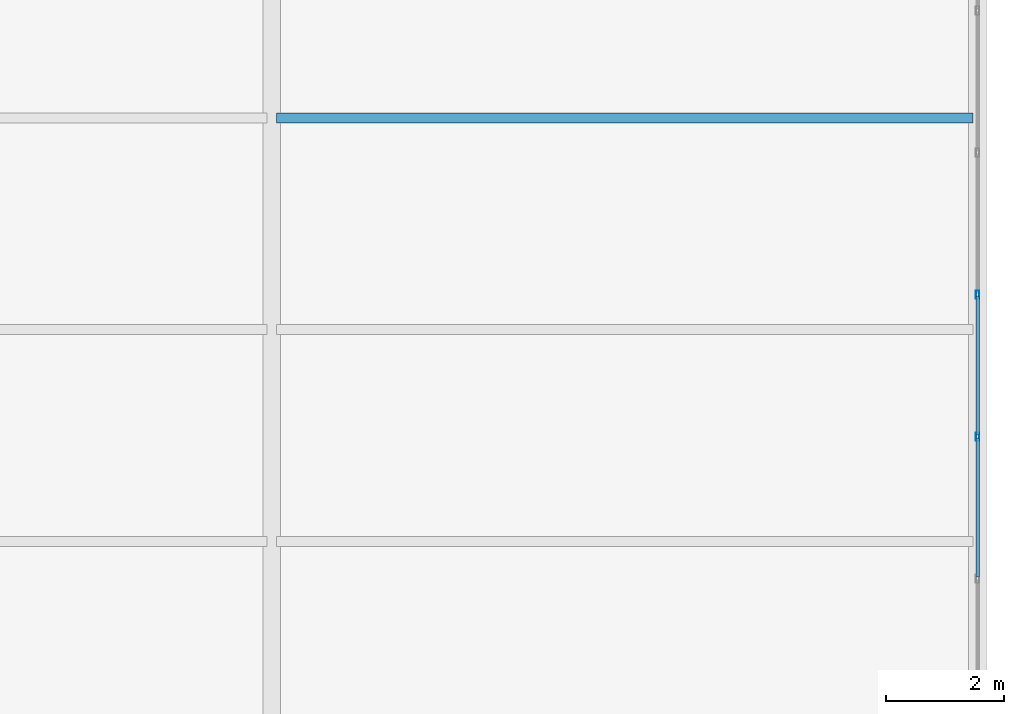
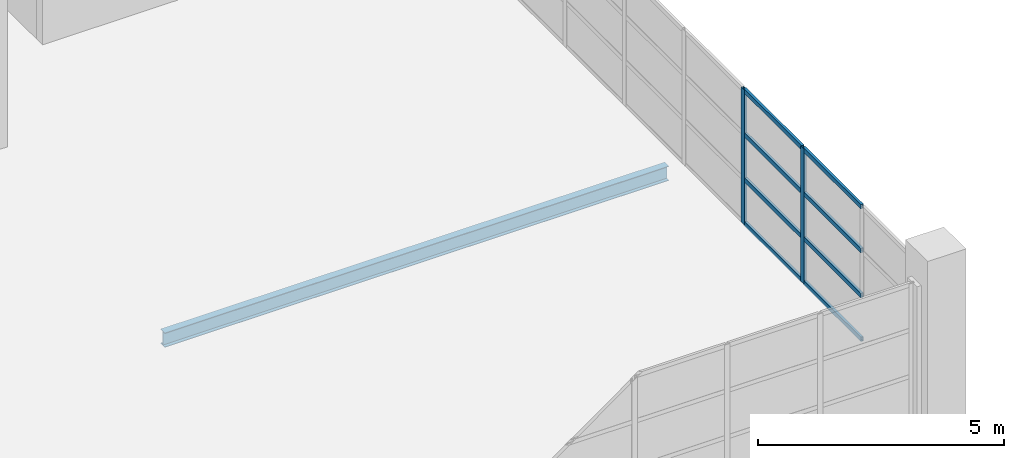
# One storey, part 107 of 158: 10 members, 1 beam, 1 element without a shape of its own.
"""IFC4 building model written with IfcOpenShell, lengths in metres."""

from ifc_helpers import new_model, si_unit, direction, frame, origin, origin_2d, place, context, subcontext, project, spatial, hollow_rectangle, i_section, extrude, material, layer, layer_set, material_profile, profile_set, type_object, element, aggregate, save


model = new_model("IFC4")

# Units and contexts
model_context = context("Model", 3, precision=1e-05, world=origin(), true_north=direction((0.0, 1.0)))
body_context = subcontext(model_context, "Body", "Model", "MODEL_VIEW")
ifc_project = project(units=[si_unit("LENGTHUNIT", "METRE"), si_unit("AREAUNIT", "SQUARE_METRE"), si_unit("VOLUMEUNIT", "CUBIC_METRE"), si_unit("PLANEANGLEUNIT", "RADIAN"), si_unit("MASSUNIT", "GRAM", prefix="KILO")], contexts=[model_context])

# Site, building, storey
site_placement = place(None, origin())
site = spatial("IfcSite", under=ifc_project, at=site_placement, CompositionType="ELEMENT")
building_placement = place(site_placement, origin())
building = spatial("IfcBuilding", under=site, at=building_placement, Name="Zilviju Railside Exhibition Hall", CompositionType="ELEMENT")
storey_placement = place(building_placement, frame((0.0, 0.0, 4.199951171875)))
storey = spatial("IfcBuildingStorey", under=building, at=storey_placement, Name="L02", CompositionType="ELEMENT", Elevation=4.199951171875)

# Beam
ifc_material_1 = material(Name="Steel S355J2", Category="steel")
ifc_material_profile_1 = material_profile(ifc_material_1, i_section(OverallWidth=0.169921875, OverallDepth=0.360107421875, WebThickness=0.008056640625, FlangeThickness=0.0126953125, at=origin_2d()), Name="IPE 360")
ifc_profile_set_1 = profile_set([ifc_material_profile_1], Name="Steel S355J2")
beam_type = type_object("IfcBeamType", Name="BM-IPE360", PredefinedType="JOIST", material=ifc_profile_set_1)
beam_placement = place(storey_placement, frame((204.080078125, 94.800048828125, -0.510009765625), z_axis=(1.0, 0.0, 0.0), x_axis=(0.0, 1.0, 0.0)))
element("IfcBeam", 1, at=beam_placement, inside=storey, type_object=beam_type, Name="Composite Floor Joist L02 Y=94.80 (204.0..216.0)", PredefinedType="JOIST", context=body_context, shape_type="SweptSolid", body=[
    extrude(i_section(OverallWidth=0.169921875, OverallDepth=0.360107421875, WebThickness=0.008056640625, FlangeThickness=0.0126953125, at=origin_2d()), origin(), (0.0, 0.0, 1.0), 11.83984375),
])

# Curtain wall, members
ifc_material_2 = material(Name="Thermally broken aluminium-steel triple-glazed curtain wall", Category="steel")
ifc_layer = layer(ifc_material_2, 0.179931640625)
ifc_layer_set = layer_set([ifc_layer], Name="Thermally broken aluminium-steel triple-glazed curtain wall")
curtain_wall_type = type_object("IfcCurtainWallType", Name="CW-BAY-15", PredefinedType="USERDEFINED", material=ifc_layer_set)
curtain_wall_placement = place(storey_placement, origin())
curtain_wall = element("IfcCurtainWall", 2, at=curtain_wall_placement, inside=storey, type_object=curtain_wall_type, Name="North Hall East Glazed Gable L02 (84..102)", ObjectType="GLAZED CURTAIN WALL", PredefinedType="USERDEFINED")
ifc_material_3 = material(Name="Thermally broken anodized aluminium mullion", Category="aluminium")
ifc_material_profile_2 = material_profile(ifc_material_3, hollow_rectangle(XDim=0.06005859375, YDim=0.139892578125, WallThickness=0.0048828125, at=origin_2d()), Name="MULLION 140x60x5")
ifc_profile_set_2 = profile_set([ifc_material_profile_2], Name="Thermally broken anodized aluminium mullion")
member_type_1 = type_object("IfcMemberType", Name="CWM-60x140", PredefinedType="MULLION", material=ifc_profile_set_2)
member_1_placement = place(storey_placement, frame((216.0, 91.79296875, 0.0), z_axis=(0.0, 0.0, 1.0), x_axis=(1.0, 0.0, 0.0)))
member_1 = element("IfcMember", 3, at=member_1_placement, type_object=member_type_1, Name="CW-15 mullion 5", PredefinedType="MULLION", context=body_context, shape_type="SweptSolid", body=[
    extrude(hollow_rectangle(XDim=0.06005859375, YDim=0.139892578125, WallThickness=0.0048828125, at=origin_2d()), origin(), (0.0, 0.0, 1.0), 3.35009765625),
])
member_2_placement = place(storey_placement, frame((216.0, 89.378662109375, 0.0), z_axis=(0.0, 0.0, 1.0), x_axis=(1.0, 0.0, 0.0)))
member_2 = element("IfcMember", 4, at=member_2_placement, type_object=member_type_1, Name="CW-15 mullion 6", PredefinedType="MULLION", context=body_context, shape_type="SweptSolid", body=[
    extrude(hollow_rectangle(XDim=0.06005859375, YDim=0.139892578125, WallThickness=0.0048828125, at=origin_2d()), origin(), (0.0, 0.0, 1.0), 3.35009765625),
])
ifc_material_4 = material(Name="Thermally broken anodized aluminium transom", Category="aluminium")
ifc_material_profile_3 = material_profile(ifc_material_4, hollow_rectangle(XDim=0.06005859375, YDim=0.110107421875, WallThickness=0.0048828125, at=origin_2d()), Name="TRANSOM 110x60x5")
ifc_profile_set_3 = profile_set([ifc_material_profile_3], Name="Thermally broken anodized aluminium transom")
member_type_2 = type_object("IfcMemberType", Name="CWT-60x110", PredefinedType="USERDEFINED", material=ifc_profile_set_3)
member_3_placement = place(storey_placement, frame((216.0, 91.762939453125, 0.030029296875), z_axis=(0.0, -1.0, 0.0), x_axis=(1.0, 0.0, 0.0)))
member_3 = element("IfcMember", 5, at=member_3_placement, type_object=member_type_2, Name="CW-15 transom 5.1", ObjectType="TRANSOM", PredefinedType="USERDEFINED", context=body_context, shape_type="SweptSolid", body=[
    extrude(hollow_rectangle(XDim=0.06005859375, YDim=0.110107421875, WallThickness=0.0048828125, at=origin_2d()), origin(), (0.0, 0.0, 1.0), 2.354248046875),
])
member_4_placement = place(storey_placement, frame((216.0, 91.762939453125, 1.116943359375), z_axis=(0.0, -1.0, 0.0), x_axis=(1.0, 0.0, 0.0)))
member_4 = element("IfcMember", 6, at=member_4_placement, type_object=member_type_2, Name="CW-15 transom 5.2", ObjectType="TRANSOM", PredefinedType="USERDEFINED", context=body_context, shape_type="SweptSolid", body=[
    extrude(hollow_rectangle(XDim=0.06005859375, YDim=0.110107421875, WallThickness=0.0048828125, at=origin_2d()), origin(), (0.0, 0.0, 1.0), 2.354248046875),
])
member_5_placement = place(storey_placement, frame((216.0, 91.762939453125, 2.233154296875), z_axis=(0.0, -1.0, 0.0), x_axis=(1.0, 0.0, 0.0)))
member_5 = element("IfcMember", 7, at=member_5_placement, type_object=member_type_2, Name="CW-15 transom 5.3", ObjectType="TRANSOM", PredefinedType="USERDEFINED", context=body_context, shape_type="SweptSolid", body=[
    extrude(hollow_rectangle(XDim=0.06005859375, YDim=0.110107421875, WallThickness=0.0048828125, at=origin_2d()), origin(), (0.0, 0.0, 1.0), 2.354248046875),
])
member_6_placement = place(storey_placement, frame((216.0, 91.762939453125, 3.320068359375), z_axis=(0.0, -1.0, 0.0), x_axis=(1.0, 0.0, 0.0)))
member_6 = element("IfcMember", 8, at=member_6_placement, type_object=member_type_2, Name="CW-15 transom 5.4", ObjectType="TRANSOM", PredefinedType="USERDEFINED", context=body_context, shape_type="SweptSolid", body=[
    extrude(hollow_rectangle(XDim=0.06005859375, YDim=0.110107421875, WallThickness=0.0048828125, at=origin_2d()), origin(), (0.0, 0.0, 1.0), 2.354248046875),
])
member_7_placement = place(storey_placement, frame((216.0, 89.3486328125, 0.030029296875), z_axis=(0.0, -1.0, 0.0), x_axis=(1.0, 0.0, 0.0)))
member_7 = element("IfcMember", 9, at=member_7_placement, type_object=member_type_2, Name="CW-15 transom 6.1", ObjectType="TRANSOM", PredefinedType="USERDEFINED", context=body_context, shape_type="SweptSolid", body=[
    extrude(hollow_rectangle(XDim=0.06005859375, YDim=0.110107421875, WallThickness=0.0048828125, at=origin_2d()), origin(), (0.0, 0.0, 1.0), 2.354248046875),
])
member_8_placement = place(storey_placement, frame((216.0, 89.3486328125, 1.116943359375), z_axis=(0.0, -1.0, 0.0), x_axis=(1.0, 0.0, 0.0)))
member_8 = element("IfcMember", 10, at=member_8_placement, type_object=member_type_2, Name="CW-15 transom 6.2", ObjectType="TRANSOM", PredefinedType="USERDEFINED", context=body_context, shape_type="SweptSolid", body=[
    extrude(hollow_rectangle(XDim=0.06005859375, YDim=0.110107421875, WallThickness=0.0048828125, at=origin_2d()), origin(), (0.0, 0.0, 1.0), 2.354248046875),
])
member_9_placement = place(storey_placement, frame((216.0, 89.3486328125, 2.233154296875), z_axis=(0.0, -1.0, 0.0), x_axis=(1.0, 0.0, 0.0)))
member_9 = element("IfcMember", 11, at=member_9_placement, type_object=member_type_2, Name="CW-15 transom 6.3", ObjectType="TRANSOM", PredefinedType="USERDEFINED", context=body_context, shape_type="SweptSolid", body=[
    extrude(hollow_rectangle(XDim=0.06005859375, YDim=0.110107421875, WallThickness=0.0048828125, at=origin_2d()), origin(), (0.0, 0.0, 1.0), 2.354248046875),
])
member_10_placement = place(storey_placement, frame((216.0, 89.3486328125, 3.320068359375), z_axis=(0.0, -1.0, 0.0), x_axis=(1.0, 0.0, 0.0)))
member_10 = element("IfcMember", 12, at=member_10_placement, type_object=member_type_2, Name="CW-15 transom 6.4", ObjectType="TRANSOM", PredefinedType="USERDEFINED", context=body_context, shape_type="SweptSolid", body=[
    extrude(hollow_rectangle(XDim=0.06005859375, YDim=0.110107421875, WallThickness=0.0048828125, at=origin_2d()), origin(), (0.0, 0.0, 1.0), 2.354248046875),
])
aggregate(curtain_wall, [member_1, member_2, member_3, member_4, member_5, member_6, member_7, member_8, member_9, member_10])

save(model, "model.ifc")
